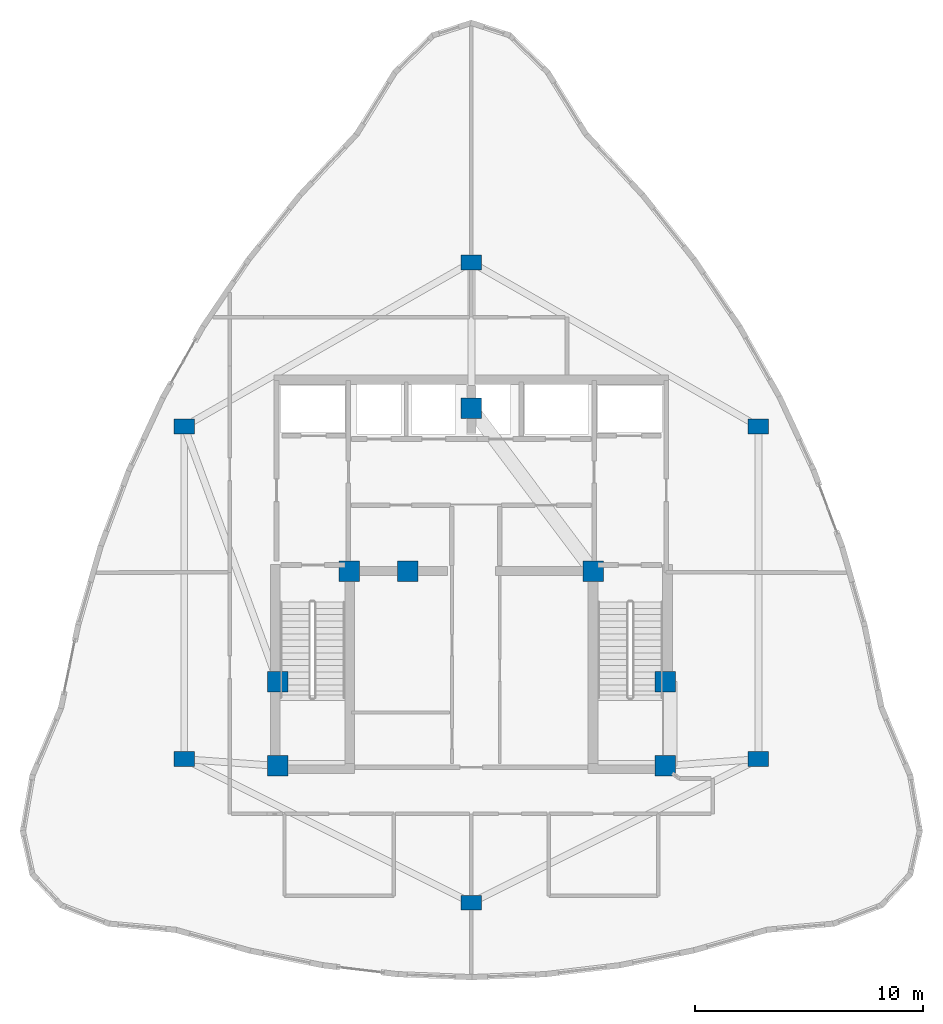
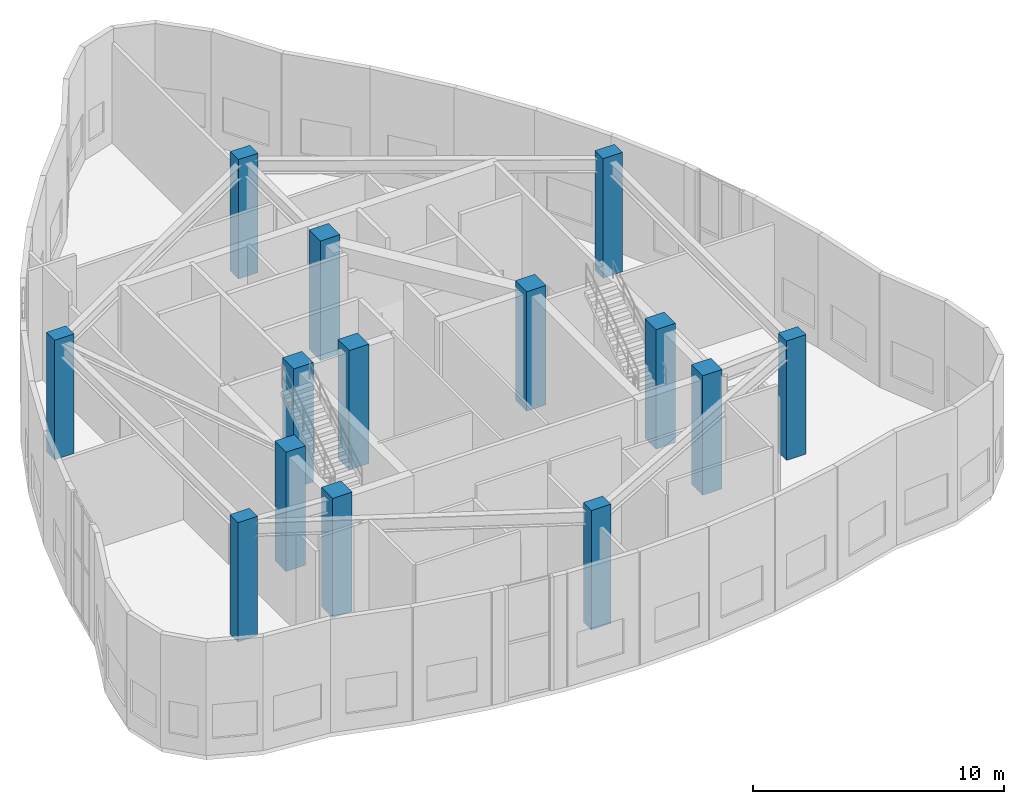
# One storey, part 1 of 16: 14 columns.
"""IFC4 building model written with IfcOpenShell, lengths in metres."""

from ifc_helpers import new_model, si_unit, direction, frame, origin, origin_2d, place, context, subcontext, project, spatial, rectangle, extrude, material, material_profile, profile_set, type_object, element, save


model = new_model("IFC4")

# Units and contexts
model_context = context("Model", 3, precision=1e-05, world=origin(), true_north=direction((0.0, 1.0)))
body_context = subcontext(model_context, "Body", "Model", "MODEL_VIEW")
ifc_project = project(units=[si_unit("LENGTHUNIT", "METRE"), si_unit("AREAUNIT", "SQUARE_METRE"), si_unit("VOLUMEUNIT", "CUBIC_METRE"), si_unit("PLANEANGLEUNIT", "RADIAN"), si_unit("MASSUNIT", "GRAM", prefix="KILO")], contexts=[model_context])

# Site, building, storey
site_placement = place(None, origin())
site = spatial("IfcSite", under=ifc_project, at=site_placement, CompositionType="ELEMENT")
building_placement = place(site_placement, origin())
building = spatial("IfcBuilding", under=site, at=building_placement, Name="Miruveldt Soraemaru", CompositionType="ELEMENT")
storey_placement = place(building_placement, frame((0.0, 0.0, 289.60009765625)))
storey = spatial("IfcBuildingStorey", under=building, at=storey_placement, Name="L78", CompositionType="ELEMENT", Elevation=289.60009765625)

# Columns
ifc_material = material(Name="Concrete C50/60 (50 MPa)", Category="concrete")
ifc_material_profile_1 = material_profile(ifc_material, rectangle(XDim=0.89990234375, YDim=0.89990234375, at=origin_2d()), Name="Concrete C50/60 (50 MPa)", Category="concrete")
ifc_profile_set_1 = profile_set([ifc_material_profile_1], Name="Concrete C50/60 (50 MPa)")
column_type_1 = type_object("IfcColumnType", Name="COL-CORE-900", PredefinedType="COLUMN", material=ifc_profile_set_1)
for number, where, z_axis, x_axis, name in (
    (1, (35.5, 35.5, 0.0), (0.0, 0.0, 1.0), (1.0, 0.0, 0.0), "L78 Structural Column CC1"),
    (2, (38.64990234375, 44.050048828125, 0.0), (0.0, 0.0, 1.0), (1.0, 0.0, 0.0), "L78 Structural Column CC2"),
    (3, (52.5, 35.5, 0.0), (0.0, 0.0, 1.0), (1.0, 0.0, 0.0), "L78 Structural Column CC3"),
    (4, (52.5, 39.199951171875, 0.0), (0.0, 0.0, 1.0), (1.0, 0.0, 0.0), "L78 Structural Column CC4"),
    (5, (49.35009765625, 44.050048828125, 0.0), (0.0, 0.0, 1.0), (1.0, 0.0, 0.0), "L78 Structural Column CC5"),
    (6, (44.0, 51.199951171875, 0.0), (0.0, 0.0, 1.0), (1.0, 0.0, 0.0), "L78 Structural Column CC6"),
    (7, (35.5, 39.199951171875, 0.0), (0.0, 0.0, 1.0), (1.0, 0.0, 0.0), "L78 Structural Column CC7"),
    (8, (41.199951171875, 44.050048828125, 0.0), (0.0, 0.0, 1.0), (1.0, 0.0, 0.0), "L78 Structural Column CC8"),
):
    element("IfcColumn", number, at=place(storey_placement, frame(where, z_axis=z_axis, x_axis=x_axis)), inside=storey, type_object=column_type_1, Name=name, PredefinedType="COLUMN", context=body_context, shape_type="SweptSolid", body=[
        extrude(rectangle(XDim=0.89990234375, YDim=0.89990234375, at=origin_2d()), origin(), (0.0, 0.0, 1.0), 5.7998046875),
    ])
ifc_material_profile_2 = material_profile(ifc_material, rectangle(XDim=0.89990234375, YDim=0.64990234375, at=origin_2d()), Name="Concrete C50/60 (50 MPa)", Category="concrete")
ifc_profile_set_2 = profile_set([ifc_material_profile_2], Name="Concrete C50/60 (50 MPa)")
column_type_2 = type_object("IfcColumnType", Name="COL-TW-Z4", PredefinedType="COLUMN", material=ifc_profile_set_2)
for number, where, z_axis, x_axis, name in (
    (9, (44.0, 57.60009765625, 0.0), (0.0, 0.0, 1.0), (1.0, 0.0, 0.0), "L78 Structural Column IR01"),
    (10, (56.60009765625, 50.39990234375, 0.0), (0.0, 0.0, 1.0), (1.0, 0.0, 0.0), "L78 Structural Column IR02"),
    (11, (56.60009765625, 35.800048828125, 0.0), (0.0, 0.0, 1.0), (1.0, 0.0, 0.0), "L78 Structural Column IR03"),
    (12, (44.0, 29.5, 0.0), (0.0, 0.0, 1.0), (1.0, 0.0, 0.0), "L78 Structural Column IR04"),
    (13, (31.39990234375, 35.800048828125, 0.0), (0.0, 0.0, 1.0), (1.0, 0.0, 0.0), "L78 Structural Column IR05"),
    (14, (31.39990234375, 50.39990234375, 0.0), (0.0, 0.0, 1.0), (1.0, 0.0, 0.0), "L78 Structural Column IR06"),
):
    element("IfcColumn", number, at=place(storey_placement, frame(where, z_axis=z_axis, x_axis=x_axis)), inside=storey, type_object=column_type_2, Name=name, PredefinedType="COLUMN", context=body_context, shape_type="SweptSolid", body=[
        extrude(rectangle(XDim=0.89990234375, YDim=0.64990234375, at=origin_2d()), origin(), (0.0, 0.0, 1.0), 5.7998046875),
    ])

save(model, "model.ifc")
